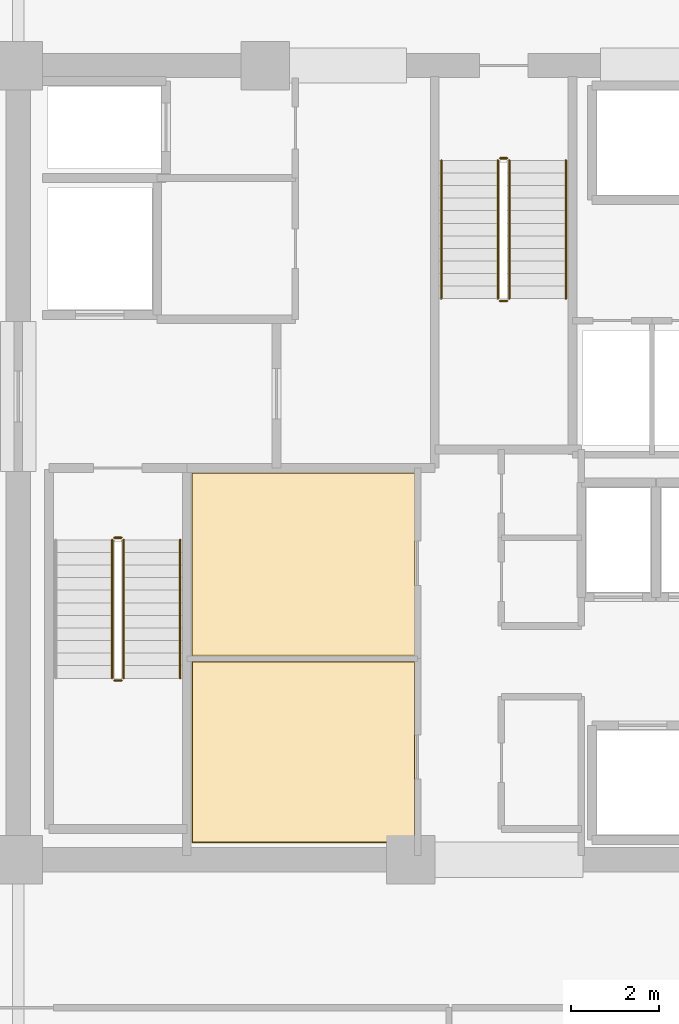
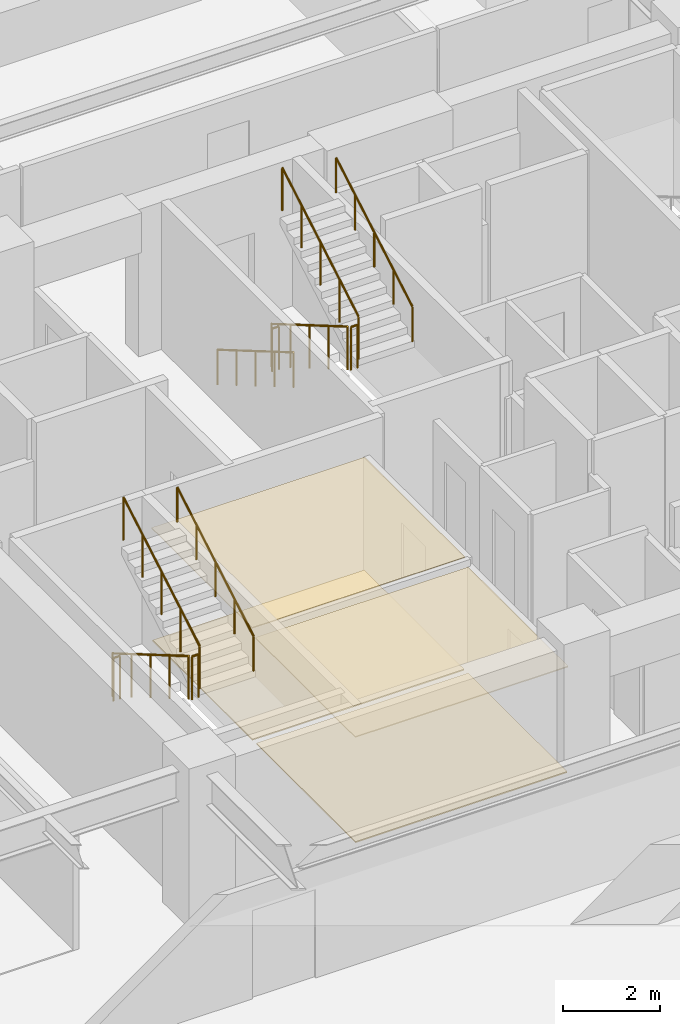
# One storey, part 19 of 22: 11 railings, 4 coverings.
"""IFC4 building model written with IfcOpenShell, lengths in metres."""

from ifc_helpers import new_model, si_unit, direction, frame, origin, origin_2d, place, context, subcontext, project, spatial, polyline, circle, outline, extrude, material, layer, layer_set, type_object, element, save


model = new_model("IFC4")

# Units and contexts
model_context = context("Model", 3, precision=1e-05, world=origin(), true_north=direction((0.0, 1.0)))
body_context = subcontext(model_context, "Body", "Model", "MODEL_VIEW")
ifc_project = project(units=[si_unit("LENGTHUNIT", "METRE"), si_unit("AREAUNIT", "SQUARE_METRE"), si_unit("VOLUMEUNIT", "CUBIC_METRE"), si_unit("PLANEANGLEUNIT", "RADIAN"), si_unit("MASSUNIT", "GRAM", prefix="KILO")], contexts=[model_context])

# Site, building, storey
site_placement = place(None, origin())
site = spatial("IfcSite", under=ifc_project, at=site_placement, CompositionType="ELEMENT")
building_placement = place(site_placement, origin())
building = spatial("IfcBuilding", under=site, at=building_placement, Name="Kovane Verandah Tower", CompositionType="ELEMENT")
storey_placement = place(building_placement, frame((0.0, 0.0, 180.39990234375)))
storey = spatial("IfcBuildingStorey", under=building, at=storey_placement, Name="L42", CompositionType="ELEMENT", Elevation=180.39990234375)

# Coverings
ifc_material_1 = material(Name="Perforated Acoustic Mineral-Fibre Ceiling Tile", Category="gypsum")
ifc_layer_1 = layer(ifc_material_1, 0.02490234375)
ifc_layer_set_1 = layer_set([ifc_layer_1], Name="Perforated Acoustic Mineral-Fibre Ceiling Tile")
covering_type_1 = type_object("IfcCoveringType", Name="CV-CEIL-25", PredefinedType="CEILING", material=ifc_layer_set_1)
covering_1_placement = place(storey_placement, frame((0.0, 0.0, 2.655029296875)))
element("IfcCovering", 1, at=covering_1_placement, inside=storey, type_object=covering_type_1, Name="L42 IT Server Room Acoustic Ceiling", PredefinedType="CEILING", context=body_context, shape_type="SweptSolid", body=[
    extrude(outline(polyline([(32.93505859375, 18.885009765625), (37.9951171875, 18.885009765625), (37.9951171875, 22.9951171875), (32.93505859375, 22.9951171875), (32.93505859375, 18.885009765625)])), origin(), (0.0, 0.0, 1.0), 0.025146484375),
])
covering_2_placement = place(storey_placement, frame((0.0, 0.0, 2.8251953125)))
element("IfcCovering", 2, at=covering_2_placement, inside=storey, type_object=covering_type_1, Name="L42 Telecom MDF Room Acoustic Ceiling", PredefinedType="CEILING", context=body_context, shape_type="SweptSolid", body=[
    extrude(outline(polyline([(32.93505859375, 23.125), (37.9951171875, 23.125), (37.9951171875, 27.264892578125), (32.93505859375, 27.264892578125), (32.93505859375, 23.125)])), origin(), (0.0, 0.0, 1.0), 0.02490234375),
])
ifc_material_2 = material(Name="Polished Terrazzo and Raised-Access Carpet Tile Finish", Category="concrete")
ifc_layer_2 = layer(ifc_material_2, 0.030029296875)
ifc_layer_set_2 = layer_set([ifc_layer_2], Name="Polished Terrazzo and Raised-Access Carpet Tile Finish")
covering_type_2 = type_object("IfcCoveringType", Name="CV-FLOR-30", PredefinedType="FLOORING", material=ifc_layer_set_2)
covering_3_placement = place(storey_placement, origin())
element("IfcCovering", 3, at=covering_3_placement, inside=storey, type_object=covering_type_2, Name="L42 IT Server Room Floor Finish", PredefinedType="FLOORING", context=body_context, shape_type="SweptSolid", body=[
    extrude(outline(polyline([(32.949951171875, 18.89990234375), (37.97998046875, 18.89990234375), (37.97998046875, 22.97998046875), (32.949951171875, 22.97998046875), (32.949951171875, 18.89990234375)])), origin(), (0.0, 0.0, 1.0), 0.030029296875),
])
covering_4_placement = place(storey_placement, origin())
element("IfcCovering", 4, at=covering_4_placement, inside=storey, type_object=covering_type_2, Name="L42 Telecom MDF Room Floor Finish", PredefinedType="FLOORING", context=body_context, shape_type="SweptSolid", body=[
    extrude(outline(polyline([(32.949951171875, 23.139892578125), (37.97998046875, 23.139892578125), (37.97998046875, 27.25), (32.949951171875, 27.25), (32.949951171875, 23.139892578125)])), origin(), (0.0, 0.0, 1.0), 0.030029296875),
])

# Railings
ifc_material_3 = material(Name="Brushed Stainless Steel Handrail", Category="steel")
railing_type_1 = type_object("IfcRailingType", Name="RL-HAND-920", PredefinedType="HANDRAIL", material=ifc_material_3)
railing_1_placement = place(storey_placement, frame((32.669921875, 22.614990234375, 2.166748046875)))
element("IfcRailing", 5, at=railing_1_placement, inside=storey, type_object=railing_type_1, Name="L42 ST-01 stair handrail 2", PredefinedType="HANDRAIL", context=body_context, shape_type="SweptSolid", body=[
    extrude(circle(Radius=0.02392578125, at=origin_2d()), frame((0.0, 0.0, 0.8759765625), z_axis=(0.0, 0.863239559939, 0.504794475164), x_axis=(-1.0, 0.0, 0.0)), (0.0, 0.0, 1.0), 3.631591796875),
    extrude(circle(Radius=0.02099609375, at=origin_2d()), origin(), (0.0, 0.0, 1.0), 0.851806640625),
    extrude(circle(Radius=0.02099609375, at=origin_2d()), frame((0.0, 0.78369140625, 0.458251953125)), (0.0, 0.0, 1.0), 0.851806640625),
    extrude(circle(Radius=0.02099609375, at=origin_2d()), frame((0.0, 1.5673828125, 0.91650390625)), (0.0, 0.0, 1.0), 0.851806640625),
    extrude(circle(Radius=0.02099609375, at=origin_2d()), frame((0.0, 2.351318359375, 1.375)), (0.0, 0.0, 1.0), 0.851806640625),
    extrude(circle(Radius=0.02099609375, at=origin_2d()), frame((0.0, 3.135009765625, 1.833251953125)), (0.0, 0.0, 1.0), 0.851806640625),
])
railing_2_placement = place(storey_placement, frame((38.590087890625, 34.35009765625, 0.166748046875)))
element("IfcRailing", 6, at=railing_2_placement, inside=storey, type_object=railing_type_1, Name="L42 ST-03 stair handrail 1", PredefinedType="HANDRAIL", context=body_context, shape_type="SweptSolid", body=[
    extrude(circle(Radius=0.02392578125, at=origin_2d()), frame((0.0, 0.0, 0.8759765625), z_axis=(0.0, -0.863239559939, 0.504794475164), x_axis=(1.0, 0.0, 0.0)), (0.0, 0.0, 1.0), 3.631591796875),
    extrude(circle(Radius=0.02099609375, at=origin_2d()), origin(), (0.0, 0.0, 1.0), 0.851806640625),
    extrude(circle(Radius=0.02099609375, at=origin_2d()), frame((0.0, -0.78369140625, 0.458251953125)), (0.0, 0.0, 1.0), 0.851806640625),
    extrude(circle(Radius=0.02099609375, at=origin_2d()), frame((0.0, -1.5673828125, 0.91650390625)), (0.0, 0.0, 1.0), 0.851806640625),
    extrude(circle(Radius=0.02099609375, at=origin_2d()), frame((0.0, -2.351318359375, 1.375)), (0.0, 0.0, 1.0), 0.851806640625),
    extrude(circle(Radius=0.02099609375, at=origin_2d()), frame((0.0, -3.135009765625, 1.833251953125)), (0.0, 0.0, 1.0), 0.851806640625),
])
railing_3_placement = place(storey_placement, frame((41.409912109375, 31.215087890625, 2.166748046875)))
element("IfcRailing", 7, at=railing_3_placement, inside=storey, type_object=railing_type_1, Name="L42 ST-03 stair handrail 2", PredefinedType="HANDRAIL", context=body_context, shape_type="SweptSolid", body=[
    extrude(circle(Radius=0.02392578125, at=origin_2d()), frame((0.0, 0.0, 0.8759765625), z_axis=(0.0, 0.863239559939, 0.504794475164), x_axis=(-1.0, 0.0, 0.0)), (0.0, 0.0, 1.0), 3.631591796875),
    extrude(circle(Radius=0.02099609375, at=origin_2d()), origin(), (0.0, 0.0, 1.0), 0.851806640625),
    extrude(circle(Radius=0.02099609375, at=origin_2d()), frame((0.0, 0.78369140625, 0.458251953125)), (0.0, 0.0, 1.0), 0.851806640625),
    extrude(circle(Radius=0.02099609375, at=origin_2d()), frame((0.0, 1.5673828125, 0.91650390625)), (0.0, 0.0, 1.0), 0.851806640625),
    extrude(circle(Radius=0.02099609375, at=origin_2d()), frame((0.0, 2.351318359375, 1.375)), (0.0, 0.0, 1.0), 0.851806640625),
    extrude(circle(Radius=0.02099609375, at=origin_2d()), frame((0.0, 3.135009765625, 1.833251953125)), (0.0, 0.0, 1.0), 0.851806640625),
])
ifc_material_4 = material(Name="Painted Steel Stairwell Guardrail", Category="steel")
railing_type_2 = type_object("IfcRailingType", Name="RL-STGUARD-1120", PredefinedType="GUARDRAIL", material=ifc_material_4)
railing_4_placement = place(storey_placement, frame((31.1298828125, 25.75, 0.166748046875)))
element("IfcRailing", 8, at=railing_4_placement, inside=storey, type_object=railing_type_2, Name="L42 ST-01 stair guard 1", PredefinedType="GUARDRAIL", context=body_context, shape_type="SweptSolid", body=[
    extrude(circle(Radius=0.02392578125, at=origin_2d()), frame((0.0, 0.0, 1.076171875), z_axis=(0.0, -0.863239559939, 0.504794475164), x_axis=(1.0, 0.0, 0.0)), (0.0, 0.0, 1.0), 3.631591796875),
    extrude(circle(Radius=0.02099609375, at=origin_2d()), origin(), (0.0, 0.0, 1.0), 1.052001953125),
    extrude(circle(Radius=0.02099609375, at=origin_2d()), frame((0.0, -0.78369140625, 0.458251953125)), (0.0, 0.0, 1.0), 1.052001953125),
    extrude(circle(Radius=0.02099609375, at=origin_2d()), frame((0.0, -1.5673828125, 0.91650390625)), (0.0, 0.0, 1.0), 1.052001953125),
    extrude(circle(Radius=0.02099609375, at=origin_2d()), frame((0.0, -2.351318359375, 1.375)), (0.0, 0.0, 1.0), 1.052001953125),
    extrude(circle(Radius=0.02099609375, at=origin_2d()), frame((0.0, -3.135009765625, 1.833251953125)), (0.0, 0.0, 1.0), 1.052001953125),
])
railing_5_placement = place(storey_placement, frame((31.179931640625, 22.56494140625, 2.0)))
element("IfcRailing", 9, at=railing_5_placement, inside=storey, type_object=railing_type_2, Name="L42 ST-01 stair guard 2", PredefinedType="GUARDRAIL", context=body_context, shape_type="SweptSolid", body=[
    extrude(circle(Radius=0.02392578125, at=origin_2d()), frame((0.0, 0.0, 1.076171875), z_axis=(1.0, 0.0, 0.0), x_axis=(0.0, 1.0, 0.0)), (0.0, 0.0, 1.0), 0.16015625),
    extrude(circle(Radius=0.02099609375, at=origin_2d()), origin(), (0.0, 0.0, 1.0), 1.052001953125),
    extrude(circle(Radius=0.02099609375, at=origin_2d()), frame((0.16015625, 0.0, 0.0)), (0.0, 0.0, 1.0), 1.052001953125),
])
railing_6_placement = place(storey_placement, frame((31.389892578125, 22.614990234375, 2.166748046875)))
element("IfcRailing", 10, at=railing_6_placement, inside=storey, type_object=railing_type_2, Name="L42 ST-01 stair guard 3", PredefinedType="GUARDRAIL", context=body_context, shape_type="SweptSolid", body=[
    extrude(circle(Radius=0.02392578125, at=origin_2d()), frame((0.0, 0.0, 1.076171875), z_axis=(0.0, 0.863239559939, 0.504794475164), x_axis=(-1.0, 0.0, 0.0)), (0.0, 0.0, 1.0), 3.631591796875),
    extrude(circle(Radius=0.02099609375, at=origin_2d()), origin(), (0.0, 0.0, 1.0), 1.052001953125),
    extrude(circle(Radius=0.02099609375, at=origin_2d()), frame((0.0, 0.78369140625, 0.458251953125)), (0.0, 0.0, 1.0), 1.052001953125),
    extrude(circle(Radius=0.02099609375, at=origin_2d()), frame((0.0, 1.5673828125, 0.91650390625)), (0.0, 0.0, 1.0), 1.052001953125),
    extrude(circle(Radius=0.02099609375, at=origin_2d()), frame((0.0, 2.351318359375, 1.375)), (0.0, 0.0, 1.0), 1.052001953125),
    extrude(circle(Radius=0.02099609375, at=origin_2d()), frame((0.0, 3.135009765625, 1.833251953125)), (0.0, 0.0, 1.0), 1.052001953125),
])
railing_7_placement = place(storey_placement, frame((31.179931640625, 25.800048828125, 0.0)))
element("IfcRailing", 11, at=railing_7_placement, inside=storey, type_object=railing_type_2, Name="L42 ST-01 stair guard 4", PredefinedType="GUARDRAIL", context=body_context, shape_type="SweptSolid", body=[
    extrude(circle(Radius=0.02392578125, at=origin_2d()), frame((0.0, 0.0, 1.076171875), z_axis=(1.0, 0.0, 0.0), x_axis=(0.0, 1.0, 0.0)), (0.0, 0.0, 1.0), 0.16015625),
    extrude(circle(Radius=0.02099609375, at=origin_2d()), origin(), (0.0, 0.0, 1.0), 1.052001953125),
    extrude(circle(Radius=0.02099609375, at=origin_2d()), frame((0.16015625, 0.0, 0.0)), (0.0, 0.0, 1.0), 1.052001953125),
])
railing_8_placement = place(storey_placement, frame((39.8701171875, 34.35009765625, 0.166748046875)))
element("IfcRailing", 12, at=railing_8_placement, inside=storey, type_object=railing_type_2, Name="L42 ST-03 stair guard 1", PredefinedType="GUARDRAIL", context=body_context, shape_type="SweptSolid", body=[
    extrude(circle(Radius=0.02392578125, at=origin_2d()), frame((0.0, 0.0, 1.076171875), z_axis=(0.0, -0.863239559939, 0.504794475164), x_axis=(1.0, 0.0, 0.0)), (0.0, 0.0, 1.0), 3.631591796875),
    extrude(circle(Radius=0.02099609375, at=origin_2d()), origin(), (0.0, 0.0, 1.0), 1.052001953125),
    extrude(circle(Radius=0.02099609375, at=origin_2d()), frame((0.0, -0.78369140625, 0.458251953125)), (0.0, 0.0, 1.0), 1.052001953125),
    extrude(circle(Radius=0.02099609375, at=origin_2d()), frame((0.0, -1.5673828125, 0.91650390625)), (0.0, 0.0, 1.0), 1.052001953125),
    extrude(circle(Radius=0.02099609375, at=origin_2d()), frame((0.0, -2.351318359375, 1.375)), (0.0, 0.0, 1.0), 1.052001953125),
    extrude(circle(Radius=0.02099609375, at=origin_2d()), frame((0.0, -3.135009765625, 1.833251953125)), (0.0, 0.0, 1.0), 1.052001953125),
])
railing_9_placement = place(storey_placement, frame((39.919921875, 31.1650390625, 2.0)))
element("IfcRailing", 13, at=railing_9_placement, inside=storey, type_object=railing_type_2, Name="L42 ST-03 stair guard 2", PredefinedType="GUARDRAIL", context=body_context, shape_type="SweptSolid", body=[
    extrude(circle(Radius=0.02392578125, at=origin_2d()), frame((0.0, 0.0, 1.076171875), z_axis=(1.0, 0.0, 0.0), x_axis=(0.0, 1.0, 0.0)), (0.0, 0.0, 1.0), 0.16015625),
    extrude(circle(Radius=0.02099609375, at=origin_2d()), origin(), (0.0, 0.0, 1.0), 1.052001953125),
    extrude(circle(Radius=0.02099609375, at=origin_2d()), frame((0.16015625, 0.0, 0.0)), (0.0, 0.0, 1.0), 1.052001953125),
])
railing_10_placement = place(storey_placement, frame((40.1298828125, 31.215087890625, 2.166748046875)))
element("IfcRailing", 14, at=railing_10_placement, inside=storey, type_object=railing_type_2, Name="L42 ST-03 stair guard 3", PredefinedType="GUARDRAIL", context=body_context, shape_type="SweptSolid", body=[
    extrude(circle(Radius=0.02392578125, at=origin_2d()), frame((0.0, 0.0, 1.076171875), z_axis=(0.0, 0.863239559939, 0.504794475164), x_axis=(-1.0, 0.0, 0.0)), (0.0, 0.0, 1.0), 3.631591796875),
    extrude(circle(Radius=0.02099609375, at=origin_2d()), origin(), (0.0, 0.0, 1.0), 1.052001953125),
    extrude(circle(Radius=0.02099609375, at=origin_2d()), frame((0.0, 0.78369140625, 0.458251953125)), (0.0, 0.0, 1.0), 1.052001953125),
    extrude(circle(Radius=0.02099609375, at=origin_2d()), frame((0.0, 1.5673828125, 0.91650390625)), (0.0, 0.0, 1.0), 1.052001953125),
    extrude(circle(Radius=0.02099609375, at=origin_2d()), frame((0.0, 2.351318359375, 1.375)), (0.0, 0.0, 1.0), 1.052001953125),
    extrude(circle(Radius=0.02099609375, at=origin_2d()), frame((0.0, 3.135009765625, 1.833251953125)), (0.0, 0.0, 1.0), 1.052001953125),
])
railing_11_placement = place(storey_placement, frame((39.919921875, 34.39990234375, 0.0)))
element("IfcRailing", 15, at=railing_11_placement, inside=storey, type_object=railing_type_2, Name="L42 ST-03 stair guard 4", PredefinedType="GUARDRAIL", context=body_context, shape_type="SweptSolid", body=[
    extrude(circle(Radius=0.02392578125, at=origin_2d()), frame((0.0, 0.0, 1.076171875), z_axis=(1.0, 0.0, 0.0), x_axis=(0.0, 1.0, 0.0)), (0.0, 0.0, 1.0), 0.16015625),
    extrude(circle(Radius=0.02099609375, at=origin_2d()), origin(), (0.0, 0.0, 1.0), 1.052001953125),
    extrude(circle(Radius=0.02099609375, at=origin_2d()), frame((0.16015625, 0.0, 0.0)), (0.0, 0.0, 1.0), 1.052001953125),
])

save(model, "model.ifc")
